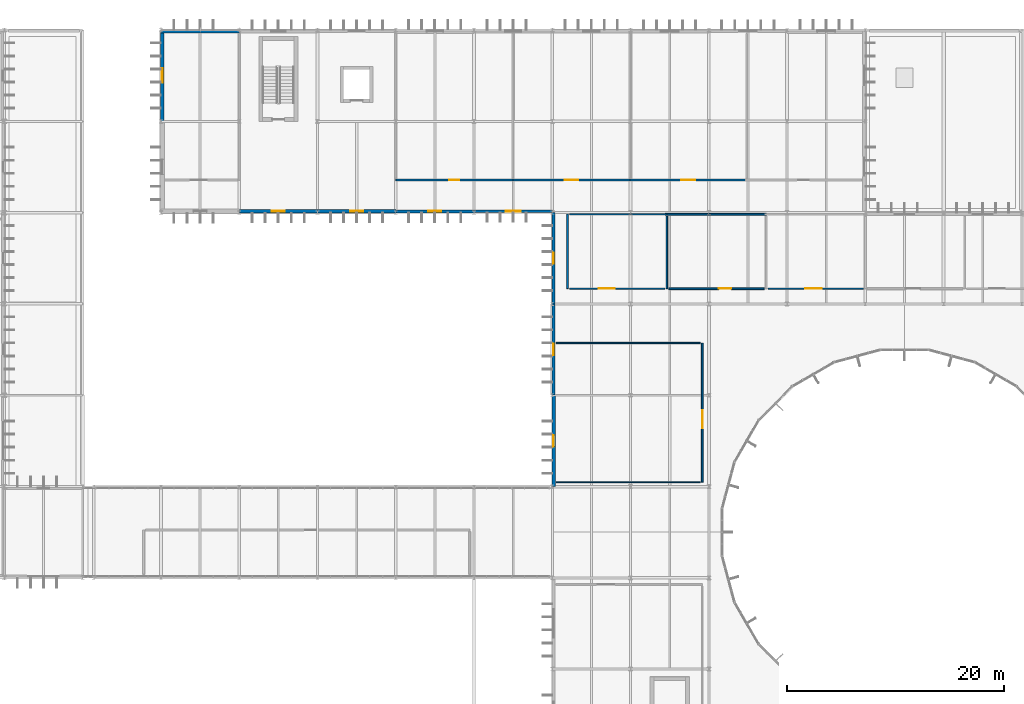
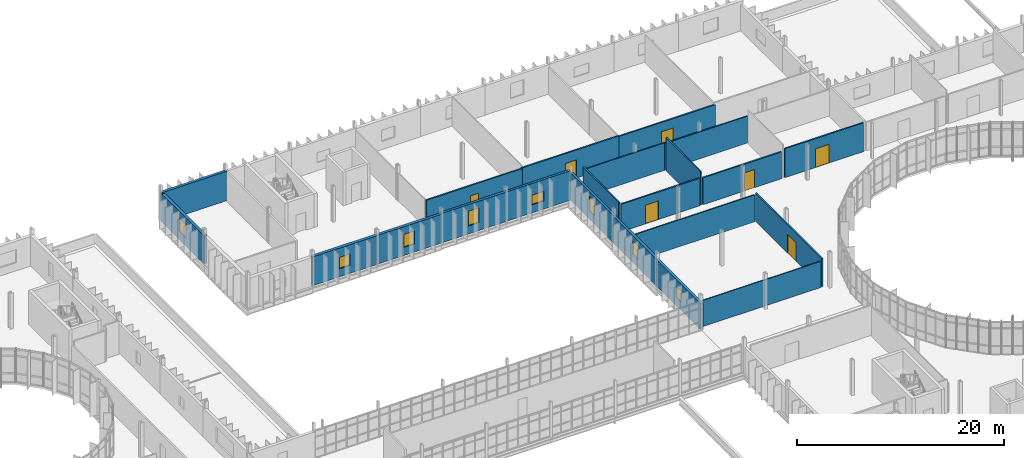
# One storey, part 81 of 99: 22 walls, 8 windows, 7 doors, 15 openings.
"""IFC4 building model written with IfcOpenShell, lengths in metres."""

from ifc_helpers import new_model, si_unit, direction, frame, frame_2d, origin, place, context, subcontext, project, spatial, rectangle, extrude, material, layer, layer_set, type_object, element, fill, save


model = new_model("IFC4")

# Units and contexts
model_context = context("Model", 3, precision=1e-05, world=origin(), true_north=direction((0.0, 1.0)))
body_context = subcontext(model_context, "Body", "Model", "MODEL_VIEW")
ifc_project = project(units=[si_unit("LENGTHUNIT", "METRE"), si_unit("AREAUNIT", "SQUARE_METRE"), si_unit("VOLUMEUNIT", "CUBIC_METRE"), si_unit("PLANEANGLEUNIT", "RADIAN"), si_unit("MASSUNIT", "GRAM", prefix="KILO")], contexts=[model_context])

# Site, building, storey
site_placement = place(None, origin())
site = spatial("IfcSite", under=ifc_project, at=site_placement, CompositionType="ELEMENT")
building_placement = place(site_placement, origin())
building = spatial("IfcBuilding", under=site, at=building_placement, Name="Qelthora Terrace Specialist Clinic", CompositionType="ELEMENT")
storey_placement = place(building_placement, frame((0.0, 0.0, 9.0)))
storey = spatial("IfcBuildingStorey", under=building, at=storey_placement, Name="L02", CompositionType="ELEMENT", Elevation=9.0)

# Wall, opening, window
ifc_material_1 = material(Name="Precast concrete C40/50", Category="concrete")
ifc_layer_1 = layer(ifc_material_1, 0.260009765625)
ifc_layer_set_1 = layer_set([ifc_layer_1], Name="Precast concrete C40/50")
wall_type_1 = type_object("IfcWallType", Name="WAL-EXT-260-PC40", PredefinedType="SOLIDWALL", material=ifc_layer_set_1)
wall_1_placement = place(storey_placement, frame((93.719970703125, 84.0, 0.0), z_axis=(0.0, 0.0, 1.0), x_axis=(0.0, 1.0, 0.0)))
wall_1 = element("IfcWall", 1, at=wall_1_placement, inside=storey, type_object=wall_type_1, Name="L02 external precast wall 229", PredefinedType="SOLIDWALL", context=body_context, shape_type="SweptSolid", body=[
    extrude(rectangle(XDim=8.39990234375, YDim=0.260009765625, at=frame_2d((4.199951171875, 0.0))), origin(), (0.0, 0.0, 1.0), 3.2490234375),
])
opening_1_placement = place(wall_1_placement, frame((3.675048828125, 0.0, 0.949951171875)))
opening_1 = element("IfcOpeningElement", 2, at=opening_1_placement, cuts=wall_1, Name="Opening WN-L02-196", PredefinedType="OPENING", context=body_context, shape_type="SweptSolid", body=[
    extrude(rectangle(XDim=1.050048828125, YDim=1.75, at=frame_2d((0.52490234375, 0.875))), frame((0.0, 0.139892578125, 0.0), z_axis=(0.0, -1.0, 0.0), x_axis=(1.0, 0.0, 0.0)), (0.0, 0.0, 1.0), 0.280029296875),
])
ifc_material_2 = material(Name="Low-E triple-silver insulating glass", Category="glass")
window_type_1 = type_object("IfcWindowType", Name="WIN-1050X1750", PartitioningType="SINGLE_PANEL", PredefinedType="WINDOW", material=ifc_material_2)
window_1_placement = place(opening_1_placement, origin())
window_1 = element("IfcWindow", 3, at=window_1_placement, inside=storey, type_object=window_type_1, Name="Clinical window WN-L02-196", OverallHeight=1.75, OverallWidth=1.050048828125, PartitioningType="SINGLE_PANEL", PredefinedType="WINDOW", context=body_context, shape_type="SweptSolid", body=[
    extrude(rectangle(XDim=1.050048828125, YDim=1.75, at=frame_2d((0.52490234375, 0.875))), frame((0.0, 0.030029296875, 0.0), z_axis=(0.0, -1.0, 0.0), x_axis=(1.0, 0.0, 0.0)), (0.0, 0.0, 1.0), 0.06005859375),
])
fill(opening_1, window_1)

wall_2_placement = place(storey_placement, frame((86.39990234375, 92.52001953125, 0.0), z_axis=(0.0, 0.0, 1.0), x_axis=(1.0, 0.0, 0.0)))
wall_2 = element("IfcWall", 4, at=wall_2_placement, inside=storey, type_object=wall_type_1, Name="L02 external precast wall 234", PredefinedType="SOLIDWALL", context=body_context, shape_type="SweptSolid", body=[
    extrude(rectangle(XDim=7.2001953125, YDim=0.260009765625, at=frame_2d((3.60009765625, 0.0))), origin(), (0.0, 0.0, 1.0), 3.48193359375),
])
opening_2_placement = place(wall_2_placement, frame((2.925048828125, 0.0, 0.949951171875)))
opening_2 = element("IfcOpeningElement", 5, at=opening_2_placement, cuts=wall_2, Name="Opening WN-L02-201", PredefinedType="OPENING", context=body_context, shape_type="SweptSolid", body=[
    extrude(rectangle(XDim=1.35009765625, YDim=1.14990234375, at=frame_2d((0.675048828125, 0.574951171875))), frame((0.0, 0.139892578125, 0.0), z_axis=(0.0, -1.0, 0.0), x_axis=(1.0, 0.0, 0.0)), (0.0, 0.0, 1.0), 0.280029296875),
])
window_type_2 = type_object("IfcWindowType", Name="WIN-1350X1150", PartitioningType="SINGLE_PANEL", PredefinedType="WINDOW", material=ifc_material_2)
window_2_placement = place(opening_2_placement, origin())
window_2 = element("IfcWindow", 6, at=window_2_placement, inside=storey, type_object=window_type_2, Name="Clinical window WN-L02-201", OverallHeight=1.14990234375, OverallWidth=1.35009765625, PartitioningType="SINGLE_PANEL", PredefinedType="WINDOW", context=body_context, shape_type="SweptSolid", body=[
    extrude(rectangle(XDim=1.35009765625, YDim=1.14990234375, at=frame_2d((0.675048828125, 0.574951171875))), frame((0.0, 0.030029296875, 0.0), z_axis=(0.0, -1.0, 0.0), x_axis=(1.0, 0.0, 0.0)), (0.0, 0.0, 1.0), 0.06005859375),
])
fill(opening_2, window_2)

ifc_layer_2 = layer(ifc_material_1, 0.280029296875)
ifc_layer_set_2 = layer_set([ifc_layer_2], Name="Precast concrete C40/50")
wall_type_2 = type_object("IfcWallType", Name="WAL-EXT-280-PC40", PredefinedType="SOLIDWALL", material=ifc_layer_set_2)
wall_3_placement = place(storey_placement, frame((93.719970703125, 75.60009765625, 0.0), z_axis=(0.0, 0.0, 1.0), x_axis=(0.0, 1.0, 0.0)))
wall_3 = element("IfcWall", 7, at=wall_3_placement, inside=storey, type_object=wall_type_2, Name="L02 external precast wall 228", PredefinedType="SOLIDWALL", context=body_context, shape_type="SweptSolid", body=[
    extrude(rectangle(XDim=8.39990234375, YDim=0.280029296875, at=frame_2d((4.199951171875, 0.0))), origin(), (0.0, 0.0, 1.0), 3.172119140625),
])
opening_3_placement = place(wall_3_placement, frame((3.675048828125, 0.0, 0.949951171875)))
opening_3 = element("IfcOpeningElement", 8, at=opening_3_placement, cuts=wall_3, Name="Opening WN-L02-195", PredefinedType="OPENING", context=body_context, shape_type="SweptSolid", body=[
    extrude(rectangle(XDim=1.050048828125, YDim=1.550048828125, at=frame_2d((0.52490234375, 0.77490234375))), frame((0.0, 0.14990234375, 0.0), z_axis=(0.0, -1.0, 0.0), x_axis=(1.0, 0.0, 0.0)), (0.0, 0.0, 1.0), 0.300048828125),
])
window_type_3 = type_object("IfcWindowType", Name="WIN-1050X1550", PartitioningType="SINGLE_PANEL", PredefinedType="WINDOW", material=ifc_material_2)
window_3_placement = place(opening_3_placement, origin())
window_3 = element("IfcWindow", 9, at=window_3_placement, inside=storey, type_object=window_type_3, Name="Clinical window WN-L02-195", OverallHeight=1.550048828125, OverallWidth=1.050048828125, PartitioningType="SINGLE_PANEL", PredefinedType="WINDOW", context=body_context, shape_type="SweptSolid", body=[
    extrude(rectangle(XDim=1.050048828125, YDim=1.550048828125, at=frame_2d((0.52490234375, 0.77490234375))), frame((0.0, 0.030029296875, 0.0), z_axis=(0.0, -1.0, 0.0), x_axis=(1.0, 0.0, 0.0)), (0.0, 0.0, 1.0), 0.06005859375),
])
fill(opening_3, window_3)

wall_4_placement = place(storey_placement, frame((79.199951171875, 92.52001953125, 0.0), z_axis=(0.0, 0.0, 1.0), x_axis=(1.0, 0.0, 0.0)))
wall_4 = element("IfcWall", 10, at=wall_4_placement, inside=storey, type_object=wall_type_2, Name="L02 external precast wall 233", PredefinedType="SOLIDWALL", context=body_context, shape_type="SweptSolid", body=[
    extrude(rectangle(XDim=7.199951171875, YDim=0.280029296875, at=frame_2d((3.60009765625, 0.0))), origin(), (0.0, 0.0, 1.0), 3.47607421875),
])
opening_4_placement = place(wall_4_placement, frame((3.0, 0.0, 0.949951171875)))
opening_4 = element("IfcOpeningElement", 11, at=opening_4_placement, cuts=wall_4, Name="Opening WN-L02-200", PredefinedType="OPENING", context=body_context, shape_type="SweptSolid", body=[
    extrude(rectangle(XDim=1.199951171875, YDim=1.75, at=frame_2d((0.60009765625, 0.875))), frame((0.0, 0.14990234375, 0.0), z_axis=(0.0, -1.0, 0.0), x_axis=(1.0, 0.0, 0.0)), (0.0, 0.0, 1.0), 0.300048828125),
])
window_type_4 = type_object("IfcWindowType", Name="WIN-1200X1750", PartitioningType="SINGLE_PANEL", PredefinedType="WINDOW", material=ifc_material_2)
window_4_placement = place(opening_4_placement, origin())
window_4 = element("IfcWindow", 12, at=window_4_placement, inside=storey, type_object=window_type_4, Name="Clinical window WN-L02-200", OverallHeight=1.75, OverallWidth=1.199951171875, PartitioningType="SINGLE_PANEL", PredefinedType="WINDOW", context=body_context, shape_type="SweptSolid", body=[
    extrude(rectangle(XDim=1.199951171875, YDim=1.75, at=frame_2d((0.60009765625, 0.875))), frame((0.0, 0.030029296875, 0.0), z_axis=(0.0, -1.0, 0.0), x_axis=(1.0, 0.0, 0.0)), (0.0, 0.0, 1.0), 0.06005859375),
])
fill(opening_4, window_4)

ifc_layer_3 = layer(ifc_material_1, 0.300048828125)
ifc_layer_set_3 = layer_set([ifc_layer_3], Name="Precast concrete C40/50")
wall_type_3 = type_object("IfcWallType", Name="WAL-EXT-300-PC40", PredefinedType="SOLIDWALL", material=ifc_layer_set_3)
wall_5_placement = place(storey_placement, frame((93.719970703125, 67.199951171875, 0.0), z_axis=(0.0, 0.0, 1.0), x_axis=(0.0, 1.0, 0.0)))
wall_5 = element("IfcWall", 13, at=wall_5_placement, inside=storey, type_object=wall_type_3, Name="L02 external precast wall 227", PredefinedType="SOLIDWALL", context=body_context, shape_type="SweptSolid", body=[
    extrude(rectangle(XDim=8.400146484375, YDim=0.300048828125, at=frame_2d((4.2001953125, 0.0))), origin(), (0.0, 0.0, 1.0), 3.091064453125),
])
opening_5_placement = place(wall_5_placement, frame((3.675048828125, 0.0, 0.949951171875)))
opening_5 = element("IfcOpeningElement", 14, at=opening_5_placement, cuts=wall_5, Name="Opening WN-L02-194", PredefinedType="OPENING", context=body_context, shape_type="SweptSolid", body=[
    extrude(rectangle(XDim=1.050048828125, YDim=1.35009765625, at=frame_2d((0.52490234375, 0.675048828125))), frame((0.0, 0.159912109375, 0.0), z_axis=(0.0, -1.0, 0.0), x_axis=(1.0, 0.0, 0.0)), (0.0, 0.0, 1.0), 0.320068359375),
])
window_type_5 = type_object("IfcWindowType", Name="WIN-1050X1350", PartitioningType="SINGLE_PANEL", PredefinedType="WINDOW", material=ifc_material_2)
window_5_placement = place(opening_5_placement, origin())
window_5 = element("IfcWindow", 15, at=window_5_placement, inside=storey, type_object=window_type_5, Name="Clinical window WN-L02-194", OverallHeight=1.35009765625, OverallWidth=1.050048828125, PartitioningType="SINGLE_PANEL", PredefinedType="WINDOW", context=body_context, shape_type="SweptSolid", body=[
    extrude(rectangle(XDim=1.050048828125, YDim=1.35009765625, at=frame_2d((0.52490234375, 0.675048828125))), frame((0.0, 0.030029296875, 0.0), z_axis=(0.0, -1.0, 0.0), x_axis=(1.0, 0.0, 0.0)), (0.0, 0.0, 1.0), 0.06005859375),
])
fill(opening_5, window_5)

wall_6_placement = place(storey_placement, frame((72.0, 92.52001953125, 0.0), z_axis=(0.0, 0.0, 1.0), x_axis=(1.0, 0.0, 0.0)))
wall_6 = element("IfcWall", 16, at=wall_6_placement, inside=storey, type_object=wall_type_3, Name="L02 external precast wall 232", PredefinedType="SOLIDWALL", context=body_context, shape_type="SweptSolid", body=[
    extrude(rectangle(XDim=7.199951171875, YDim=0.300048828125, at=frame_2d((3.60009765625, 0.0))), origin(), (0.0, 0.0, 1.0), 3.405029296875),
])
opening_6_placement = place(wall_6_placement, frame((3.0, 0.0, 0.949951171875)))
opening_6 = element("IfcOpeningElement", 17, at=opening_6_placement, cuts=wall_6, Name="Opening WN-L02-199", PredefinedType="OPENING", context=body_context, shape_type="SweptSolid", body=[
    extrude(rectangle(XDim=1.199951171875, YDim=1.550048828125, at=frame_2d((0.60009765625, 0.77490234375))), frame((0.0, 0.159912109375, 0.0), z_axis=(0.0, -1.0, 0.0), x_axis=(1.0, 0.0, 0.0)), (0.0, 0.0, 1.0), 0.320068359375),
])
window_type_6 = type_object("IfcWindowType", Name="WIN-1200X1550", PartitioningType="SINGLE_PANEL", PredefinedType="WINDOW", material=ifc_material_2)
window_6_placement = place(opening_6_placement, origin())
window_6 = element("IfcWindow", 18, at=window_6_placement, inside=storey, type_object=window_type_6, Name="Clinical window WN-L02-199", OverallHeight=1.550048828125, OverallWidth=1.199951171875, PartitioningType="SINGLE_PANEL", PredefinedType="WINDOW", context=body_context, shape_type="SweptSolid", body=[
    extrude(rectangle(XDim=1.199951171875, YDim=1.550048828125, at=frame_2d((0.60009765625, 0.77490234375))), frame((0.0, 0.030029296875, 0.0), z_axis=(0.0, -1.0, 0.0), x_axis=(1.0, 0.0, 0.0)), (0.0, 0.0, 1.0), 0.06005859375),
])
fill(opening_6, window_6)

# Wall
wall_7_placement = place(storey_placement, frame((57.60009765625, 109.080078125, 0.0), z_axis=(0.0, 0.0, 1.0), x_axis=(1.0, 0.0, 0.0)))
element("IfcWall", 19, at=wall_7_placement, inside=storey, type_object=wall_type_3, Name="L02 external precast wall 237", PredefinedType="SOLIDWALL", context=body_context, shape_type="SweptSolid", body=[
    extrude(rectangle(XDim=7.199951171875, YDim=0.300048828125, at=frame_2d((3.60009765625, 0.0))), origin(), (0.0, 0.0, 1.0), 3.48193359375),
])

# Wall, opening, window
ifc_layer_4 = layer(ifc_material_1, 0.320068359375)
ifc_layer_set_4 = layer_set([ifc_layer_4], Name="Precast concrete C40/50")
wall_type_4 = type_object("IfcWallType", Name="WAL-EXT-320-PC40", PredefinedType="SOLIDWALL", material=ifc_layer_set_4)
wall_8_placement = place(storey_placement, frame((64.800048828125, 92.52001953125, 0.0), z_axis=(0.0, 0.0, 1.0), x_axis=(1.0, 0.0, 0.0)))
wall_8 = element("IfcWall", 20, at=wall_8_placement, inside=storey, type_object=wall_type_4, Name="L02 external precast wall 231", PredefinedType="SOLIDWALL", context=body_context, shape_type="SweptSolid", body=[
    extrude(rectangle(XDim=7.199951171875, YDim=0.320068359375, at=frame_2d((3.60009765625, 0.0))), origin(), (0.0, 0.0, 1.0), 3.39794921875),
])
opening_7_placement = place(wall_8_placement, frame((3.0, 0.0, 0.949951171875)))
opening_7 = element("IfcOpeningElement", 21, at=opening_7_placement, cuts=wall_8, Name="Opening WN-L02-198", PredefinedType="OPENING", context=body_context, shape_type="SweptSolid", body=[
    extrude(rectangle(XDim=1.199951171875, YDim=1.35009765625, at=frame_2d((0.60009765625, 0.675048828125))), frame((0.0, 0.169921875, 0.0), z_axis=(0.0, -1.0, 0.0), x_axis=(1.0, 0.0, 0.0)), (0.0, 0.0, 1.0), 0.340087890625),
])
window_type_7 = type_object("IfcWindowType", Name="WIN-1200X1350", PartitioningType="SINGLE_PANEL", PredefinedType="WINDOW", material=ifc_material_2)
window_7_placement = place(opening_7_placement, origin())
window_7 = element("IfcWindow", 22, at=window_7_placement, inside=storey, type_object=window_type_7, Name="Clinical window WN-L02-198", OverallHeight=1.35009765625, OverallWidth=1.199951171875, PartitioningType="SINGLE_PANEL", PredefinedType="WINDOW", context=body_context, shape_type="SweptSolid", body=[
    extrude(rectangle(XDim=1.199951171875, YDim=1.35009765625, at=frame_2d((0.60009765625, 0.675048828125))), frame((0.0, 0.030029296875, 0.0), z_axis=(0.0, -1.0, 0.0), x_axis=(1.0, 0.0, 0.0)), (0.0, 0.0, 1.0), 0.06005859375),
])
fill(opening_7, window_7)

wall_9_placement = place(storey_placement, frame((57.719970703125, 100.800048828125, 0.0), z_axis=(0.0, 0.0, 1.0), x_axis=(0.0, 1.0, 0.0)))
wall_9 = element("IfcWall", 23, at=wall_9_placement, inside=storey, type_object=wall_type_4, Name="L02 external precast wall 236", PredefinedType="SOLIDWALL", context=body_context, shape_type="SweptSolid", body=[
    extrude(rectangle(XDim=8.39990234375, YDim=0.320068359375, at=frame_2d((4.199951171875, 0.0))), origin(), (0.0, 0.0, 1.0), 3.324951171875),
])
opening_8_placement = place(wall_9_placement, frame((3.52490234375, 0.0, 0.949951171875)))
opening_8 = element("IfcOpeningElement", 24, at=opening_8_placement, cuts=wall_9, Name="Opening WN-L02-203", PredefinedType="OPENING", context=body_context, shape_type="SweptSolid", body=[
    extrude(rectangle(XDim=1.35009765625, YDim=1.550048828125, at=frame_2d((0.675048828125, 0.77490234375))), frame((0.0, 0.169921875, 0.0), z_axis=(0.0, -1.0, 0.0), x_axis=(1.0, 0.0, 0.0)), (0.0, 0.0, 1.0), 0.340087890625),
])
window_type_8 = type_object("IfcWindowType", Name="WIN-1350X1550", PartitioningType="SINGLE_PANEL", PredefinedType="WINDOW", material=ifc_material_2)
window_8_placement = place(opening_8_placement, origin())
window_8 = element("IfcWindow", 25, at=window_8_placement, inside=storey, type_object=window_type_8, Name="Clinical window WN-L02-203", OverallHeight=1.550048828125, OverallWidth=1.35009765625, PartitioningType="SINGLE_PANEL", PredefinedType="WINDOW", context=body_context, shape_type="SweptSolid", body=[
    extrude(rectangle(XDim=1.35009765625, YDim=1.550048828125, at=frame_2d((0.675048828125, 0.77490234375))), frame((0.0, 0.030029296875, 0.0), z_axis=(0.0, -1.0, 0.0), x_axis=(1.0, 0.0, 0.0)), (0.0, 0.0, 1.0), 0.06005859375),
])
fill(opening_8, window_8)

# Walls
ifc_material_3 = material(Name="Gypsum acoustic wallboard", Category="gypsum")
ifc_layer_5 = layer(ifc_material_3, 0.139892578125)
ifc_layer_set_5 = layer_set([ifc_layer_5], Name="Gypsum acoustic wallboard")
wall_type_5 = type_object("IfcWallType", Name="WAL-INT-ACU-140", PredefinedType="PARTITIONING", material=ifc_layer_set_5)
wall_10_placement = place(storey_placement, frame((104.13330078125, 92.070068359375, 0.0), z_axis=(0.0, 0.0, 1.0), x_axis=(0.0, -1.0, 0.0)))
element("IfcWall", 26, at=wall_10_placement, inside=storey, type_object=wall_type_5, Name="Interior clinical partition IWAL-L02-0264", PredefinedType="PARTITIONING", context=body_context, shape_type="SweptSolid", body=[
    extrude(rectangle(XDim=6.670166015625, YDim=0.139892578125, at=frame_2d((3.3349609375, 0.0))), origin(), (0.0, 0.0, 1.0), 3.945068359375),
])
wall_11_placement = place(storey_placement, frame((103.998291015625, 92.25, 0.0), z_axis=(0.0, 0.0, 1.0), x_axis=(1.0, 0.0, 0.0)))
element("IfcWall", 27, at=wall_11_placement, inside=storey, type_object=wall_type_5, Name="Interior clinical partition IWAL-L02-0266", PredefinedType="PARTITIONING", context=body_context, shape_type="SweptSolid", body=[
    extrude(rectangle(XDim=9.268310546875, YDim=0.139892578125, at=frame_2d((4.63427734375, 0.0))), origin(), (0.0, 0.0, 1.0), 3.175048828125),
])

# Wall, opening, door
ifc_material_4 = material(Name="Gypsum fire-rated wallboard", Category="gypsum")
ifc_layer_6 = layer(ifc_material_4, 0.159912109375)
ifc_layer_set_6 = layer_set([ifc_layer_6], Name="Gypsum fire-rated wallboard")
wall_type_6 = type_object("IfcWallType", Name="WAL-INT-COR-160", PredefinedType="PARTITIONING", material=ifc_layer_set_6)
wall_12_placement = place(storey_placement, frame((103.953369140625, 85.39990234375, 0.0), z_axis=(0.0, 0.0, 1.0), x_axis=(-1.0, 0.0, 0.0)))
wall_12 = element("IfcWall", 28, at=wall_12_placement, inside=storey, type_object=wall_type_6, Name="Interior clinical partition IWAL-L02-0265", PredefinedType="PARTITIONING", context=body_context, shape_type="SweptSolid", body=[
    extrude(rectangle(XDim=8.7734375, YDim=0.159912109375, at=frame_2d((4.38671875, 0.0))), origin(), (0.0, 0.0, 1.0), 3.251953125),
])
opening_9_placement = place(wall_12_placement, frame((4.62158203125, 0.0, 0.0)))
opening_9 = element("IfcOpeningElement", 29, at=opening_9_placement, cuts=wall_12, Name="Opening DI-L02-0106", PredefinedType="OPENING", context=body_context, shape_type="SweptSolid", body=[
    extrude(rectangle(XDim=1.449951171875, YDim=2.199951171875, at=frame_2d((0.72509765625, 1.10009765625))), frame((0.0, 0.08984375, 0.0), z_axis=(0.0, -1.0, 0.0), x_axis=(1.0, 0.0, 0.0)), (0.0, 0.0, 1.0), 0.179931640625),
])
ifc_material_5 = material(Name="Steel S355", Category="steel")
door_type_1 = type_object("IfcDoorType", Name="DOR-LAB-1450X2200", OperationType="NOTDEFINED", PredefinedType="DOOR", material=ifc_material_5)
door_1_placement = place(opening_9_placement, frame((1.449951171875, 0.0, 0.0), z_axis=(0.0, 0.0, 1.0), x_axis=(-1.0, 0.0, 0.0)))
door_1 = element("IfcDoor", 30, at=door_1_placement, inside=storey, type_object=door_type_1, Name="Interior clinical door DI-L02-0106", OperationType="SINGLE_SWING_LEFT", OverallHeight=2.199951171875, OverallWidth=1.449951171875, PredefinedType="DOOR", context=body_context, shape_type="SweptSolid", body=[
    extrude(rectangle(XDim=1.449951171875, YDim=2.199951171875, at=frame_2d((0.72509765625, 1.10009765625))), frame((0.0, 0.02490234375, 0.0), z_axis=(0.0, -1.0, 0.0), x_axis=(1.0, 0.0, 0.0)), (0.0, 0.0, 1.0), 0.050048828125),
])
fill(opening_9, door_1)

wall_13_placement = place(storey_placement, frame((113.086669921875, 85.39990234375, 0.0), z_axis=(0.0, 0.0, 1.0), x_axis=(-1.0, 0.0, 0.0)))
wall_13 = element("IfcWall", 31, at=wall_13_placement, inside=storey, type_object=wall_type_6, Name="Interior clinical partition IWAL-L02-0268", PredefinedType="PARTITIONING", context=body_context, shape_type="SweptSolid", body=[
    extrude(rectangle(XDim=8.7734375, YDim=0.159912109375, at=frame_2d((4.38671875, 0.0))), origin(), (0.0, 0.0, 1.0), 3.175048828125),
])
opening_10_placement = place(wall_13_placement, frame((3.01171875, 0.0, 0.0)))
opening_10 = element("IfcOpeningElement", 32, at=opening_10_placement, cuts=wall_13, Name="Opening DI-L02-0107", PredefinedType="OPENING", context=body_context, shape_type="SweptSolid", body=[
    extrude(rectangle(XDim=1.14990234375, YDim=2.14990234375, at=frame_2d((0.574951171875, 1.074951171875))), frame((0.0, 0.08984375, 0.0), z_axis=(0.0, -1.0, 0.0), x_axis=(1.0, 0.0, 0.0)), (0.0, 0.0, 1.0), 0.179931640625),
])
ifc_material_6 = material(Name="Aluminium anodized bronze", Category="aluminium")
door_type_2 = type_object("IfcDoorType", Name="DOR-CLN-1150X2150", OperationType="NOTDEFINED", PredefinedType="DOOR", material=ifc_material_6)
door_2_placement = place(opening_10_placement, frame((1.14990234375, 0.0, 0.0), z_axis=(0.0, 0.0, 1.0), x_axis=(-1.0, 0.0, 0.0)))
door_2 = element("IfcDoor", 33, at=door_2_placement, inside=storey, type_object=door_type_2, Name="Interior clinical door DI-L02-0107", OperationType="SINGLE_SWING_RIGHT", OverallHeight=2.14990234375, OverallWidth=1.14990234375, PredefinedType="DOOR", context=body_context, shape_type="SweptSolid", body=[
    extrude(rectangle(XDim=1.14990234375, YDim=2.14990234375, at=frame_2d((0.574951171875, 1.074951171875))), frame((0.0, 0.02490234375, 0.0), z_axis=(0.0, -1.0, 0.0), x_axis=(1.0, 0.0, 0.0)), (0.0, 0.0, 1.0), 0.050048828125),
])
fill(opening_10, door_2)

wall_14_placement = place(storey_placement, frame((122.219970703125, 85.39990234375, 0.0), z_axis=(0.0, 0.0, 1.0), x_axis=(-1.0, 0.0, 0.0)))
wall_14 = element("IfcWall", 34, at=wall_14_placement, inside=storey, type_object=wall_type_6, Name="Interior clinical partition IWAL-L02-0271", PredefinedType="PARTITIONING", context=body_context, shape_type="SweptSolid", body=[
    extrude(rectangle(XDim=8.773193359375, YDim=0.159912109375, at=frame_2d((4.38671875, 0.0))), origin(), (0.0, 0.0, 1.0), 3.407958984375),
])
opening_11_placement = place(wall_14_placement, frame((3.836669921875, 0.0, 0.0)))
opening_11 = element("IfcOpeningElement", 35, at=opening_11_placement, cuts=wall_14, Name="Opening DI-L02-0108", PredefinedType="OPENING", context=body_context, shape_type="SweptSolid", body=[
    extrude(rectangle(XDim=1.5, YDim=2.199951171875, at=frame_2d((0.75, 1.10009765625))), frame((0.0, 0.08984375, 0.0), z_axis=(0.0, -1.0, 0.0), x_axis=(1.0, 0.0, 0.0)), (0.0, 0.0, 1.0), 0.179931640625),
])
door_type_3 = type_object("IfcDoorType", Name="DOR-OR-1500X2200", OperationType="NOTDEFINED", PredefinedType="DOOR", material=ifc_material_5)
door_3_placement = place(opening_11_placement, frame((1.5, 0.0, 0.0), z_axis=(0.0, 0.0, 1.0), x_axis=(-1.0, 0.0, 0.0)))
door_3 = element("IfcDoor", 36, at=door_3_placement, inside=storey, type_object=door_type_3, Name="Interior clinical door DI-L02-0108", OperationType="SINGLE_SWING_LEFT", OverallHeight=2.199951171875, OverallWidth=1.5, PredefinedType="DOOR", context=body_context, shape_type="SweptSolid", body=[
    extrude(rectangle(XDim=1.5, YDim=2.199951171875, at=frame_2d((0.75, 1.10009765625))), frame((0.0, 0.02490234375, 0.0), z_axis=(0.0, -1.0, 0.0), x_axis=(1.0, 0.0, 0.0)), (0.0, 0.0, 1.0), 0.050048828125),
])
fill(opening_11, door_3)

wall_15_placement = place(storey_placement, frame((107.39990234375, 80.39990234375, 0.0), z_axis=(0.0, 0.0, 1.0), x_axis=(0.0, -1.0, 0.0)))
wall_15 = element("IfcWall", 37, at=wall_15_placement, inside=storey, type_object=wall_type_6, Name="Interior clinical partition IWAL-L02-0278", PredefinedType="PARTITIONING", context=body_context, shape_type="SweptSolid", body=[
    extrude(rectangle(XDim=12.7998046875, YDim=0.159912109375, at=frame_2d((6.39990234375, 0.0))), origin(), (0.0, 0.0, 1.0), 3.327880859375),
])
opening_12_placement = place(wall_15_placement, frame((6.175048828125, 0.0, 0.0)))
opening_12 = element("IfcOpeningElement", 38, at=opening_12_placement, cuts=wall_15, Name="Opening DI-L02-0112", PredefinedType="OPENING", context=body_context, shape_type="SweptSolid", body=[
    extrude(rectangle(XDim=1.64990234375, YDim=2.199951171875, at=frame_2d((0.824951171875, 1.10009765625))), frame((0.0, 0.08984375, 0.0), z_axis=(0.0, -1.0, 0.0), x_axis=(1.0, 0.0, 0.0)), (0.0, 0.0, 1.0), 0.179931640625),
])
door_type_4 = type_object("IfcDoorType", Name="DOR-GYM-1650X2200", OperationType="NOTDEFINED", PredefinedType="DOOR", material=ifc_material_6)
door_4_placement = place(opening_12_placement, frame((1.64990234375, 0.0, 0.0), z_axis=(0.0, 0.0, 1.0), x_axis=(-1.0, 0.0, 0.0)))
door_4 = element("IfcDoor", 39, at=door_4_placement, inside=storey, type_object=door_type_4, Name="Interior clinical door DI-L02-0112", OperationType="DOUBLE_DOOR_SINGLE_SWING", OverallHeight=2.199951171875, OverallWidth=1.64990234375, PredefinedType="DOOR", context=body_context, shape_type="SweptSolid", body=[
    extrude(rectangle(XDim=1.64990234375, YDim=2.199951171875, at=frame_2d((0.824951171875, 1.10009765625))), frame((0.0, 0.02490234375, 0.0), z_axis=(0.0, -1.0, 0.0), x_axis=(1.0, 0.0, 0.0)), (0.0, 0.0, 1.0), 0.050048828125),
])
fill(opening_12, door_4)

wall_16_placement = place(storey_placement, frame((89.96240234375, 95.39990234375, 0.0), z_axis=(0.0, 0.0, 1.0), x_axis=(-1.0, 0.0, 0.0)))
wall_16 = element("IfcWall", 40, at=wall_16_placement, inside=storey, type_object=wall_type_6, Name="Interior clinical partition IWAL-L02-0309", PredefinedType="PARTITIONING", context=body_context, shape_type="SweptSolid", body=[
    extrude(rectangle(XDim=10.762451171875, YDim=0.159912109375, at=frame_2d((5.38134765625, 0.0))), origin(), (0.0, 0.0, 1.0), 3.251953125),
])
opening_13_placement = place(wall_16_placement, frame((4.911376953125, 0.0, 0.0)))
opening_13 = element("IfcOpeningElement", 41, at=opening_13_placement, cuts=wall_16, Name="Opening DI-L02-0122", PredefinedType="OPENING", context=body_context, shape_type="SweptSolid", body=[
    extrude(rectangle(XDim=0.93994140625, YDim=2.050048828125, at=frame_2d((0.469970703125, 1.02490234375))), frame((0.0, 0.08984375, 0.0), z_axis=(0.0, -1.0, 0.0), x_axis=(1.0, 0.0, 0.0)), (0.0, 0.0, 1.0), 0.179931640625),
])
ifc_material_7 = material(Name="Glulam timber GL28h", Category="wood")
door_type_5 = type_object("IfcDoorType", Name="DOR-CON-940X2050", OperationType="NOTDEFINED", PredefinedType="DOOR", material=ifc_material_7)
door_5_placement = place(opening_13_placement, frame((0.93994140625, 0.0, 0.0), z_axis=(0.0, 0.0, 1.0), x_axis=(-1.0, 0.0, 0.0)))
door_5 = element("IfcDoor", 42, at=door_5_placement, inside=storey, type_object=door_type_5, Name="Interior clinical door DI-L02-0122", OperationType="SINGLE_SWING_LEFT", OverallHeight=2.050048828125, OverallWidth=0.93994140625, PredefinedType="DOOR", context=body_context, shape_type="SweptSolid", body=[
    extrude(rectangle(XDim=0.93994140625, YDim=2.050048828125, at=frame_2d((0.469970703125, 1.02490234375))), frame((0.0, 0.02490234375, 0.0), z_axis=(0.0, -1.0, 0.0), x_axis=(1.0, 0.0, 0.0)), (0.0, 0.0, 1.0), 0.050048828125),
])
fill(opening_13, door_5)

wall_17_placement = place(storey_placement, frame((100.72509765625, 95.39990234375, 0.0), z_axis=(0.0, 0.0, 1.0), x_axis=(-1.0, 0.0, 0.0)))
wall_17 = element("IfcWall", 43, at=wall_17_placement, inside=storey, type_object=wall_type_6, Name="Interior clinical partition IWAL-L02-0312", PredefinedType="PARTITIONING", context=body_context, shape_type="SweptSolid", body=[
    extrude(rectangle(XDim=10.897705078125, YDim=0.159912109375, at=frame_2d((5.44873046875, 0.0))), origin(), (0.0, 0.0, 1.0), 3.327880859375),
])
opening_14_placement = place(wall_17_placement, frame((4.753662109375, 0.0, 0.0)))
opening_14 = element("IfcOpeningElement", 44, at=opening_14_placement, cuts=wall_17, Name="Opening DI-L02-0123", PredefinedType="OPENING", context=body_context, shape_type="SweptSolid", body=[
    extrude(rectangle(XDim=1.25, YDim=2.14990234375, at=frame_2d((0.625, 1.074951171875))), frame((0.0, 0.08984375, 0.0), z_axis=(0.0, -1.0, 0.0), x_axis=(1.0, 0.0, 0.0)), (0.0, 0.0, 1.0), 0.179931640625),
])
door_type_6 = type_object("IfcDoorType", Name="DOR-INF-1250X2150", OperationType="NOTDEFINED", PredefinedType="DOOR", material=ifc_material_7)
door_6_placement = place(opening_14_placement, frame((1.25, 0.0, 0.0), z_axis=(0.0, 0.0, 1.0), x_axis=(-1.0, 0.0, 0.0)))
door_6 = element("IfcDoor", 45, at=door_6_placement, inside=storey, type_object=door_type_6, Name="Interior clinical door DI-L02-0123", OperationType="SINGLE_SWING_RIGHT", OverallHeight=2.14990234375, OverallWidth=1.25, PredefinedType="DOOR", context=body_context, shape_type="SweptSolid", body=[
    extrude(rectangle(XDim=1.25, YDim=2.14990234375, at=frame_2d((0.625, 1.074951171875))), frame((0.0, 0.02490234375, 0.0), z_axis=(0.0, -1.0, 0.0), x_axis=(1.0, 0.0, 0.0)), (0.0, 0.0, 1.0), 0.050048828125),
])
fill(opening_14, door_6)

wall_18_placement = place(storey_placement, frame((111.487548828125, 95.39990234375, 0.0), z_axis=(0.0, 0.0, 1.0), x_axis=(-1.0, 0.0, 0.0)))
wall_18 = element("IfcWall", 46, at=wall_18_placement, inside=storey, type_object=wall_type_6, Name="Interior clinical partition IWAL-L02-0314", PredefinedType="PARTITIONING", context=body_context, shape_type="SweptSolid", body=[
    extrude(rectangle(XDim=10.8974609375, YDim=0.159912109375, at=frame_2d((5.44873046875, 0.0))), origin(), (0.0, 0.0, 1.0), 3.251953125),
])
opening_15_placement = place(wall_18_placement, frame((4.728759765625, 0.0, 0.0)))
opening_15 = element("IfcOpeningElement", 47, at=opening_15_placement, cuts=wall_18, Name="Opening DI-L02-0124", PredefinedType="OPENING", context=body_context, shape_type="SweptSolid", body=[
    extrude(rectangle(XDim=1.300048828125, YDim=2.14990234375, at=frame_2d((0.64990234375, 1.074951171875))), frame((0.0, 0.08984375, 0.0), z_axis=(0.0, -1.0, 0.0), x_axis=(1.0, 0.0, 0.0)), (0.0, 0.0, 1.0), 0.179931640625),
])
door_type_7 = type_object("IfcDoorType", Name="DOR-REC-1300X2150", OperationType="NOTDEFINED", PredefinedType="DOOR", material=ifc_material_7)
door_7_placement = place(opening_15_placement, frame((1.300048828125, 0.0, 0.0), z_axis=(0.0, 0.0, 1.0), x_axis=(-1.0, 0.0, 0.0)))
door_7 = element("IfcDoor", 48, at=door_7_placement, inside=storey, type_object=door_type_7, Name="Interior clinical door DI-L02-0124", OperationType="SINGLE_SWING_LEFT", OverallHeight=2.14990234375, OverallWidth=1.300048828125, PredefinedType="DOOR", context=body_context, shape_type="SweptSolid", body=[
    extrude(rectangle(XDim=1.300048828125, YDim=2.14990234375, at=frame_2d((0.64990234375, 1.074951171875))), frame((0.0, 0.02490234375, 0.0), z_axis=(0.0, -1.0, 0.0), x_axis=(1.0, 0.0, 0.0)), (0.0, 0.0, 1.0), 0.050048828125),
])
fill(opening_15, door_7)

# Walls
ifc_layer_7 = layer(ifc_material_3, 0.10009765625)
ifc_layer_set_7 = layer_set([ifc_layer_7], Name="Gypsum acoustic wallboard")
wall_type_7 = type_object("IfcWallType", Name="WAL-INT-LGT-100", PredefinedType="PARTITIONING", material=ifc_layer_set_7)
wall_19_placement = place(storey_placement, frame((95.179931640625, 92.25, 0.0), z_axis=(0.0, 0.0, 1.0), x_axis=(1.0, 0.0, 0.0)))
element("IfcWall", 49, at=wall_19_placement, inside=storey, type_object=wall_type_7, Name="Interior clinical partition IWAL-L02-0263", PredefinedType="PARTITIONING", context=body_context, shape_type="SweptSolid", body=[
    extrude(rectangle(XDim=8.953369140625, YDim=0.10009765625, at=frame_2d((4.4765625, 0.0))), origin(), (0.0, 0.0, 1.0), 3.251953125),
])
wall_20_placement = place(storey_placement, frame((107.219970703125, 67.60009765625, 0.0), z_axis=(0.0, 0.0, 1.0), x_axis=(-1.0, 0.0, 0.0)))
element("IfcWall", 50, at=wall_20_placement, inside=storey, type_object=wall_type_7, Name="Interior clinical partition IWAL-L02-0279", PredefinedType="PARTITIONING", context=body_context, shape_type="SweptSolid", body=[
    extrude(rectangle(XDim=13.280029296875, YDim=0.10009765625, at=frame_2d((6.64013671875, 0.0))), origin(), (0.0, 0.0, 1.0), 3.093994140625),
])
ifc_layer_8 = layer(ifc_material_3, 0.1201171875)
ifc_layer_set_8 = layer_set([ifc_layer_8], Name="Gypsum acoustic wallboard")
wall_type_8 = type_object("IfcWallType", Name="WAL-INT-STD-120", PredefinedType="PARTITIONING", material=ifc_layer_set_8)
wall_21_placement = place(storey_placement, frame((93.93994140625, 80.39990234375, 0.0), z_axis=(0.0, 0.0, 1.0), x_axis=(1.0, 0.0, 0.0)))
element("IfcWall", 51, at=wall_21_placement, inside=storey, type_object=wall_type_8, Name="Interior clinical partition IWAL-L02-0280", PredefinedType="PARTITIONING", context=body_context, shape_type="SweptSolid", body=[
    extrude(rectangle(XDim=13.280029296875, YDim=0.1201171875, at=frame_2d((6.64013671875, 0.0))), origin(), (0.0, 0.0, 1.0), 3.175048828125),
])
ifc_material_8 = material(Name="Gypsum moisture-resistant", Category="gypsum")
ifc_layer_9 = layer(ifc_material_8, 0.14990234375)
ifc_layer_set_9 = layer_set([ifc_layer_9], Name="Gypsum moisture-resistant")
wall_type_9 = type_object("IfcWallType", Name="WAL-INT-WET-150", PredefinedType="PLUMBINGWALL", material=ifc_layer_set_9)
wall_22_placement = place(storey_placement, frame((95.0, 85.39990234375, 0.0), z_axis=(0.0, 0.0, 1.0), x_axis=(0.0, 1.0, 0.0)))
element("IfcWall", 52, at=wall_22_placement, inside=storey, type_object=wall_type_9, Name="Interior clinical partition IWAL-L02-0262", PredefinedType="PLUMBINGWALL", context=body_context, shape_type="SweptSolid", body=[
    extrude(rectangle(XDim=6.85009765625, YDim=0.14990234375, at=frame_2d((3.425048828125, 0.0))), origin(), (0.0, 0.0, 1.0), 3.534912109375),
])

save(model, "model.ifc")
